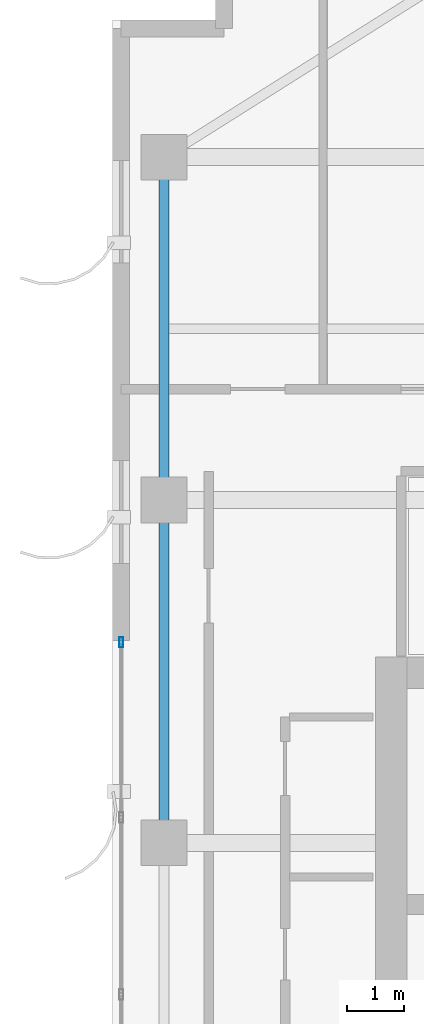
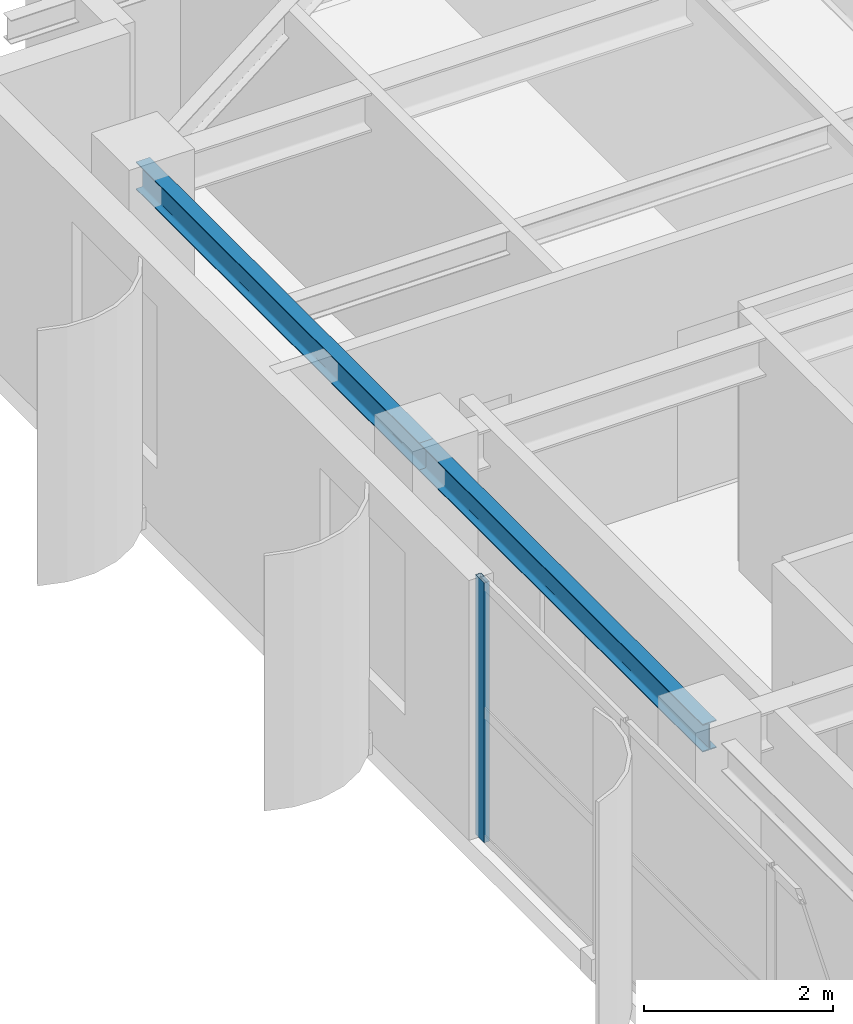
# One storey, part 8 of 24: 2 beams, 1 member, 1 element without a shape of its own.
"""IFC4 building model written with IfcOpenShell, lengths in metres."""

from ifc_helpers import new_model, si_unit, direction, frame, origin, origin_2d, place, context, subcontext, project, spatial, hollow_rectangle, i_section, extrude, source, transform, mapped, material, layer, layer_set, material_profile, profile_set, type_object, element, aggregate, save


model = new_model("IFC4")

# Units and contexts
model_context = context("Model", 3, precision=1e-05, world=origin(), true_north=direction((0.0, 1.0)))
body_context = subcontext(model_context, "Body", "Model", "MODEL_VIEW")
ifc_project = project(units=[si_unit("LENGTHUNIT", "METRE"), si_unit("AREAUNIT", "SQUARE_METRE"), si_unit("VOLUMEUNIT", "CUBIC_METRE"), si_unit("PLANEANGLEUNIT", "RADIAN"), si_unit("MASSUNIT", "GRAM", prefix="KILO")], contexts=[model_context])

# Site, building, storey
site_placement = place(None, origin())
site = spatial("IfcSite", under=ifc_project, at=site_placement, CompositionType="ELEMENT")
building_placement = place(site_placement, origin())
building = spatial("IfcBuilding", under=site, at=building_placement, Name="Khoralis Quay Care Tower", CompositionType="ELEMENT")
storey_placement = place(building_placement, frame((0.0, 0.0, 231.300048828125)))
storey = spatial("IfcBuildingStorey", under=building, at=storey_placement, Name="L60", CompositionType="ELEMENT", Elevation=231.300048828125)

# Beams
ifc_material_1 = material(Name="Steel S355", Category="steel")
ifc_material_profile_1 = material_profile(ifc_material_1, i_section(OverallWidth=0.169921875, OverallDepth=0.360107421875, WebThickness=0.008056640625, FlangeThickness=0.0126953125, FilletRadius=0.01806640625, at=origin_2d()), Name="Steel S355")
ifc_profile_set_1 = profile_set([ifc_material_profile_1], Name="Steel S355")
beam_type = type_object("IfcBeamType", Name="BM-IPE360", PredefinedType="SPANDREL", material=ifc_profile_set_1)
shared_shape_1 = source(origin(), body_context, "Body", "SweptSolid", [
    extrude(i_section(OverallWidth=0.169921875, OverallDepth=0.360107421875, WebThickness=0.008056640625, FlangeThickness=0.0126953125, FilletRadius=0.01806640625, at=origin_2d()), origin(), (0.0, 0.0, 1.0), 6.0),
])
for number, where, z_axis, x_axis, name in (
    (1, (3.89990234375, 24.0, 3.179931640625), (0.0, 1.0, 0.0), (-1.0, 0.0, 0.0), "BM-TSP-L60-07"),
    (2, (3.89990234375, 30.0, 3.179931640625), (0.0, 1.0, 0.0), (-1.0, 0.0, 0.0), "BM-TSP-L60-08"),
):
    element("IfcBeam", number, at=place(storey_placement, frame(where, z_axis=z_axis, x_axis=x_axis)), inside=storey, type_object=beam_type, Name=name, PredefinedType="SPANDREL", context=body_context, shape_type="MappedRepresentation", body=[
        mapped(shared_shape_1, transform((0.0, 0.0, 0.0), scale=1.0)),
    ])

# Curtain wall, member
ifc_material_2 = material(Name="Pale anodised aluminium", Category="aluminium")
ifc_layer = layer(ifc_material_2, 0.159912109375)
ifc_layer_set = layer_set([ifc_layer], Name="Pale anodised aluminium")
curtain_wall_type = type_object("IfcCurtainWallType", Name="CW-SYS-Z3", PredefinedType="NOTDEFINED", material=ifc_layer_set)
curtain_wall_placement = place(storey_placement, origin())
curtain_wall = element("IfcCurtainWall", 3, at=curtain_wall_placement, inside=storey, type_object=curtain_wall_type, Name="L60 Unitised Curtain Wall CW-L60-P1-E7", PredefinedType="NOTDEFINED")
ifc_material_profile_2 = material_profile(ifc_material_2, hollow_rectangle(XDim=0.06494140625, YDim=0.179931640625, WallThickness=0.00390625, at=origin_2d()), Name="Pale anodised aluminium")
ifc_profile_set_2 = profile_set([ifc_material_profile_2], Name="Pale anodised aluminium")
member_type = type_object("IfcMemberType", Name="CW-MUL-180", PredefinedType="MULLION", material=ifc_profile_set_2)
shared_shape_2 = source(origin(), body_context, "Body", "SweptSolid", [
    extrude(hollow_rectangle(XDim=0.06494140625, YDim=0.179931640625, WallThickness=0.00390625, at=origin_2d()), origin(), (0.0, 0.0, 1.0), 3.35986328125),
])
member_placement = place(storey_placement, frame((3.14990234375, 27.510009765625, 0.0), z_axis=(0.0, 0.0, 1.0), x_axis=(1.0, 0.0, 0.0)))
member = element("IfcMember", 4, at=member_placement, type_object=member_type, Name="CW3 mullion 1", PredefinedType="MULLION", context=body_context, shape_type="MappedRepresentation", body=[
    mapped(shared_shape_2, transform((0.0, 0.0, 0.0), scale=1.0)),
])
aggregate(curtain_wall, [member])

save(model, "model.ifc")
